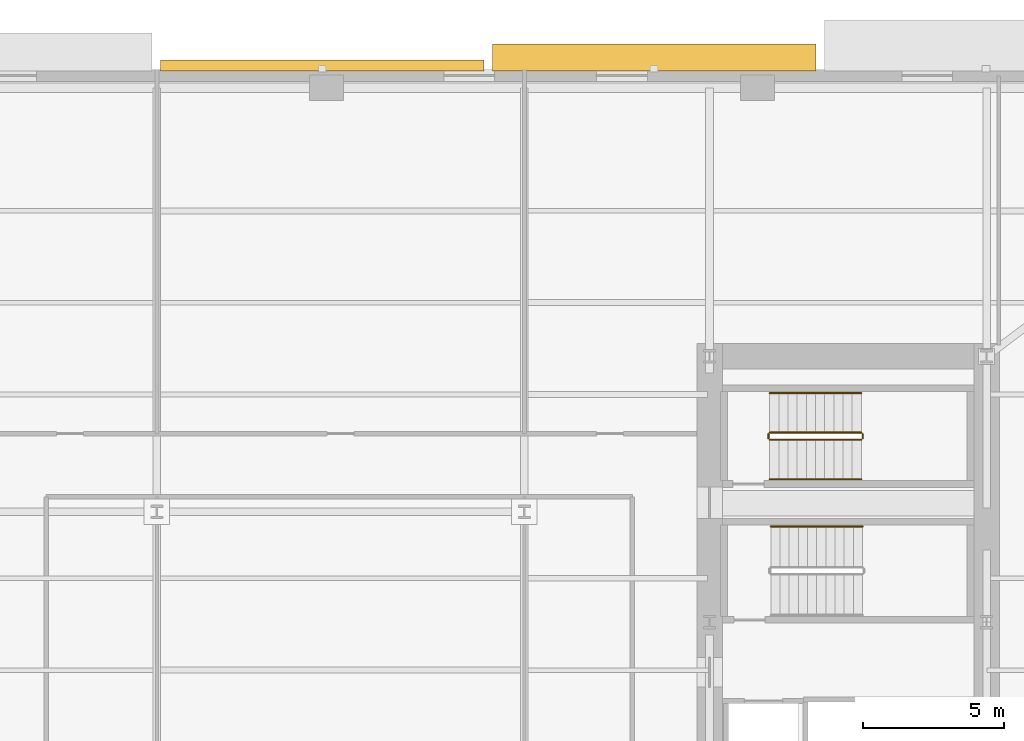
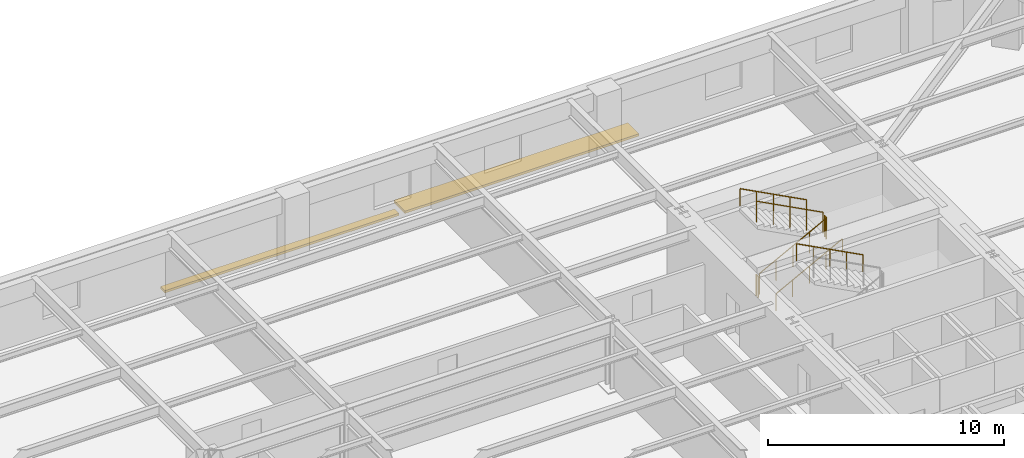
# One storey, part 14 of 15: 7 railings, 2 shading devices.
"""IFC4 building model written with IfcOpenShell, lengths in metres."""

from ifc_helpers import new_model, si_unit, direction, frame, origin, origin_2d, place, context, subcontext, project, spatial, rectangle, circle, extrude, material, type_object, element, save


model = new_model("IFC4")

# Units and contexts
model_context = context("Model", 3, precision=1e-05, world=origin(), true_north=direction((0.0, 1.0)))
body_context = subcontext(model_context, "Body", "Model", "MODEL_VIEW")
ifc_project = project(units=[si_unit("LENGTHUNIT", "METRE"), si_unit("AREAUNIT", "SQUARE_METRE"), si_unit("VOLUMEUNIT", "CUBIC_METRE"), si_unit("PLANEANGLEUNIT", "RADIAN"), si_unit("MASSUNIT", "GRAM", prefix="KILO")], contexts=[model_context])

# Site, building, storey
site_placement = place(None, origin())
site = spatial("IfcSite", under=ifc_project, at=site_placement, CompositionType="ELEMENT")
building_placement = place(site_placement, origin())
building = spatial("IfcBuilding", under=site, at=building_placement, Name="Kolvaren Arena Tower", CompositionType="ELEMENT")
storey_placement = place(building_placement, frame((0.0, 0.0, 42.0)))
storey = spatial("IfcBuildingStorey", under=building, at=storey_placement, Name="L07", CompositionType="ELEMENT", Elevation=42.0)

# Railings
ifc_material_1 = material(Name="Painted galvanized steel", Category="steel")
railing_type_1 = type_object("IfcRailingType", Name="GUARD-ST-110", PredefinedType="GUARDRAIL", material=ifc_material_1)
railing_1_placement = place(storey_placement, frame((52.679931640625, 36.39990234375, 0.17041015625)))
element("IfcRailing", 1, at=railing_1_placement, inside=storey, type_object=railing_type_1, Name="L07 ST-E2 stair guard 1", PredefinedType="GUARDRAIL", context=body_context, shape_type="SweptSolid", body=[
    extrude(circle(Radius=0.02392578125, at=origin_2d()), frame((0.0, 0.0, 1.076171875), z_axis=(0.884993431791, 0.0, 0.465603506952), x_axis=(0.0, 1.0, 0.0)), (0.0, 0.0, 1.0), 3.6611328125),
    extrude(circle(Radius=0.02099609375, at=origin_2d()), origin(), (0.0, 0.0, 1.0), 1.052001953125),
    extrude(circle(Radius=0.02099609375, at=origin_2d()), frame((0.81005859375, 0.0, 0.42626953125)), (0.0, 0.0, 1.0), 1.052001953125),
    extrude(circle(Radius=0.02099609375, at=origin_2d()), frame((1.6201171875, 0.0, 0.852294921875)), (0.0, 0.0, 1.0), 1.052001953125),
    extrude(circle(Radius=0.02099609375, at=origin_2d()), frame((2.429931640625, 0.0, 1.2783203125)), (0.0, 0.0, 1.0), 1.052001953125),
    extrude(circle(Radius=0.02099609375, at=origin_2d()), frame((3.239990234375, 0.0, 1.70458984375)), (0.0, 0.0, 1.0), 1.052001953125),
])
railing_2_placement = place(storey_placement, frame((55.969970703125, 36.449951171875, 1.875)))
element("IfcRailing", 2, at=railing_2_placement, inside=storey, type_object=railing_type_1, Name="L07 ST-E2 stair guard 2", PredefinedType="GUARDRAIL", context=body_context, shape_type="SweptSolid", body=[
    extrude(circle(Radius=0.02392578125, at=origin_2d()), frame((0.0, 0.0, 1.076171875), z_axis=(0.0, 1.0, 0.0), x_axis=(-1.0, 0.0, 0.0)), (0.0, 0.0, 1.0), 0.150146484375),
    extrude(circle(Radius=0.02099609375, at=origin_2d()), origin(), (0.0, 0.0, 1.0), 1.052001953125),
    extrude(circle(Radius=0.02099609375, at=origin_2d()), frame((0.0, 0.150146484375, 0.0)), (0.0, 0.0, 1.0), 1.052001953125),
])
railing_3_placement = place(storey_placement, frame((55.919921875, 36.64990234375, 2.04541015625)))
element("IfcRailing", 3, at=railing_3_placement, inside=storey, type_object=railing_type_1, Name="L07 ST-E2 stair guard 3", PredefinedType="GUARDRAIL", context=body_context, shape_type="SweptSolid", body=[
    extrude(circle(Radius=0.02392578125, at=origin_2d()), frame((0.0, 0.0, 1.076171875), z_axis=(-0.884993431791, 0.0, 0.465603506952), x_axis=(0.0, -1.0, 0.0)), (0.0, 0.0, 1.0), 3.6611328125),
    extrude(circle(Radius=0.02099609375, at=origin_2d()), origin(), (0.0, 0.0, 1.0), 1.052001953125),
    extrude(circle(Radius=0.02099609375, at=origin_2d()), frame((-0.81005859375, 0.0, 0.42626953125)), (0.0, 0.0, 1.0), 1.052001953125),
    extrude(circle(Radius=0.02099609375, at=origin_2d()), frame((-1.6201171875, 0.0, 0.852294921875)), (0.0, 0.0, 1.0), 1.052001953125),
    extrude(circle(Radius=0.02099609375, at=origin_2d()), frame((-2.429931640625, 0.0, 1.2783203125)), (0.0, 0.0, 1.0), 1.052001953125),
    extrude(circle(Radius=0.02099609375, at=origin_2d()), frame((-3.239990234375, 0.0, 1.70458984375)), (0.0, 0.0, 1.0), 1.052001953125),
])
railing_4_placement = place(storey_placement, frame((52.6298828125, 36.449951171875, 0.0)))
element("IfcRailing", 4, at=railing_4_placement, inside=storey, type_object=railing_type_1, Name="L07 ST-E2 stair guard 4", PredefinedType="GUARDRAIL", context=body_context, shape_type="SweptSolid", body=[
    extrude(circle(Radius=0.02392578125, at=origin_2d()), frame((0.0, 0.0, 1.076171875), z_axis=(0.0, 1.0, 0.0), x_axis=(-1.0, 0.0, 0.0)), (0.0, 0.0, 1.0), 0.150146484375),
    extrude(circle(Radius=0.02099609375, at=origin_2d()), origin(), (0.0, 0.0, 1.0), 1.052001953125),
    extrude(circle(Radius=0.02099609375, at=origin_2d()), frame((0.0, 0.150146484375, 0.0)), (0.0, 0.0, 1.0), 1.052001953125),
])
ifc_material_2 = material(Name="Brushed stainless steel handrail", Category="steel")
railing_type_2 = type_object("IfcRailingType", Name="HRAIL-900", PredefinedType="HANDRAIL", material=ifc_material_2)
railing_5_placement = place(storey_placement, frame((55.9599609375, 33.330078125, 2.04541015625)))
element("IfcRailing", 5, at=railing_5_placement, inside=storey, type_object=railing_type_2, Name="L07 ST-E1 stair handrail 2", PredefinedType="HANDRAIL", context=body_context, shape_type="SweptSolid", body=[
    extrude(circle(Radius=0.02392578125, at=origin_2d()), frame((0.0, 0.0, 0.8759765625), z_axis=(-0.884993431791, 0.0, 0.465603506952), x_axis=(0.0, -1.0, 0.0)), (0.0, 0.0, 1.0), 3.6611328125),
    extrude(circle(Radius=0.02099609375, at=origin_2d()), origin(), (0.0, 0.0, 1.0), 0.851806640625),
    extrude(circle(Radius=0.02099609375, at=origin_2d()), frame((-0.81005859375, 0.0, 0.42626953125)), (0.0, 0.0, 1.0), 0.851806640625),
    extrude(circle(Radius=0.02099609375, at=origin_2d()), frame((-1.6201171875, 0.0, 0.852294921875)), (0.0, 0.0, 1.0), 0.851806640625),
    extrude(circle(Radius=0.02099609375, at=origin_2d()), frame((-2.429931640625, 0.0, 1.2783203125)), (0.0, 0.0, 1.0), 0.851806640625),
    extrude(circle(Radius=0.02099609375, at=origin_2d()), frame((-3.239990234375, 0.0, 1.70458984375)), (0.0, 0.0, 1.0), 0.851806640625),
])
railing_6_placement = place(storey_placement, frame((52.679931640625, 35.0, 0.17041015625)))
element("IfcRailing", 6, at=railing_6_placement, inside=storey, type_object=railing_type_2, Name="L07 ST-E2 stair handrail 1", PredefinedType="HANDRAIL", context=body_context, shape_type="SweptSolid", body=[
    extrude(circle(Radius=0.02392578125, at=origin_2d()), frame((0.0, 0.0, 0.8759765625), z_axis=(0.884993431791, 0.0, 0.465603506952), x_axis=(0.0, 1.0, 0.0)), (0.0, 0.0, 1.0), 3.6611328125),
    extrude(circle(Radius=0.02099609375, at=origin_2d()), origin(), (0.0, 0.0, 1.0), 0.851806640625),
    extrude(circle(Radius=0.02099609375, at=origin_2d()), frame((0.81005859375, 0.0, 0.42626953125)), (0.0, 0.0, 1.0), 0.851806640625),
    extrude(circle(Radius=0.02099609375, at=origin_2d()), frame((1.6201171875, 0.0, 0.852294921875)), (0.0, 0.0, 1.0), 0.851806640625),
    extrude(circle(Radius=0.02099609375, at=origin_2d()), frame((2.429931640625, 0.0, 1.2783203125)), (0.0, 0.0, 1.0), 0.851806640625),
    extrude(circle(Radius=0.02099609375, at=origin_2d()), frame((3.239990234375, 0.0, 1.70458984375)), (0.0, 0.0, 1.0), 0.851806640625),
])
railing_7_placement = place(storey_placement, frame((55.919921875, 38.050048828125, 2.04541015625)))
element("IfcRailing", 7, at=railing_7_placement, inside=storey, type_object=railing_type_2, Name="L07 ST-E2 stair handrail 2", PredefinedType="HANDRAIL", context=body_context, shape_type="SweptSolid", body=[
    extrude(circle(Radius=0.02392578125, at=origin_2d()), frame((0.0, 0.0, 0.8759765625), z_axis=(-0.884993431791, 0.0, 0.465603506952), x_axis=(0.0, -1.0, 0.0)), (0.0, 0.0, 1.0), 3.6611328125),
    extrude(circle(Radius=0.02099609375, at=origin_2d()), origin(), (0.0, 0.0, 1.0), 0.851806640625),
    extrude(circle(Radius=0.02099609375, at=origin_2d()), frame((-0.81005859375, 0.0, 0.42626953125)), (0.0, 0.0, 1.0), 0.851806640625),
    extrude(circle(Radius=0.02099609375, at=origin_2d()), frame((-1.6201171875, 0.0, 0.852294921875)), (0.0, 0.0, 1.0), 0.851806640625),
    extrude(circle(Radius=0.02099609375, at=origin_2d()), frame((-2.429931640625, 0.0, 1.2783203125)), (0.0, 0.0, 1.0), 0.851806640625),
    extrude(circle(Radius=0.02099609375, at=origin_2d()), frame((-3.239990234375, 0.0, 1.70458984375)), (0.0, 0.0, 1.0), 0.851806640625),
])

# Shading devices
ifc_material_3 = material(Name="Architectural precast GFRC and anodised aluminium sunshade", Category="concrete")
shading_device_type = type_object("IfcShadingDeviceType", Name="SHAD-SINE-A", PredefinedType="USERDEFINED", material=ifc_material_3)
shading_device_1_placement = place(storey_placement, frame((36.85009765625, 49.638671875, -0.14013671875), z_axis=(0.0, 0.0, 1.0), x_axis=(1.0, 0.0, 0.0)))
element("IfcShadingDevice", 8, at=shading_device_1_placement, inside=storey, type_object=shading_device_type, Name="Sinusoidal Slab-Edge Sunshade Louvre (L07)", ObjectType="LOUVRE", PredefinedType="USERDEFINED", context=body_context, shape_type="SweptSolid", body=[
    extrude(rectangle(XDim=11.43994140625, YDim=0.377197265625, at=origin_2d()), origin(), (0.0, 0.0, 1.0), 0.1201171875),
])
shading_device_2_placement = place(storey_placement, frame((48.590087890625, 49.92529296875, -0.14013671875), z_axis=(0.0, 0.0, 1.0), x_axis=(1.0, 0.0, 0.0)))
element("IfcShadingDevice", 9, at=shading_device_2_placement, inside=storey, type_object=shading_device_type, Name="Sinusoidal Slab-Edge Sunshade Louvre (L07)", ObjectType="LOUVRE", PredefinedType="USERDEFINED", context=body_context, shape_type="SweptSolid", body=[
    extrude(rectangle(XDim=11.43994140625, YDim=0.950439453125, at=origin_2d()), origin(), (0.0, 0.0, 1.0), 0.1201171875),
])

save(model, "model.ifc")
